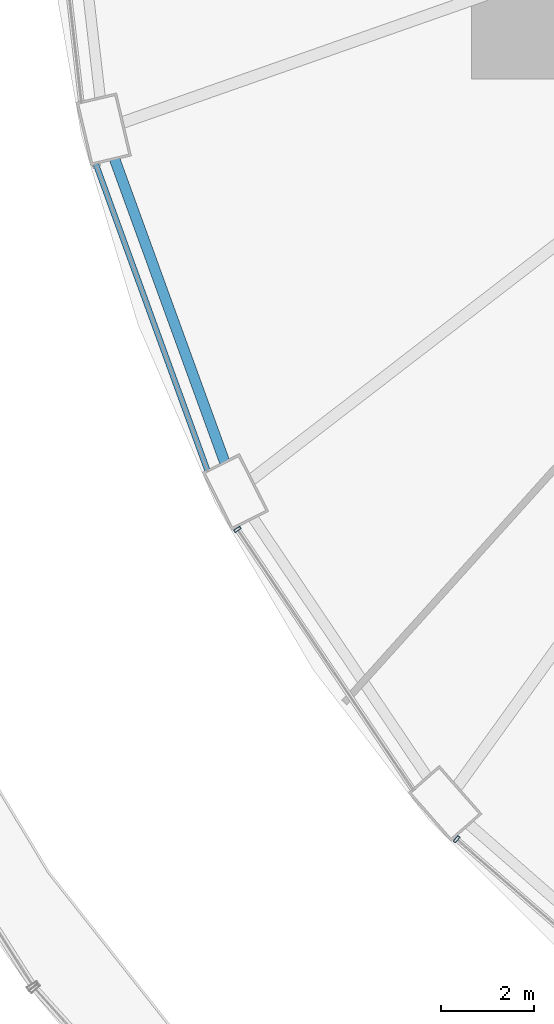
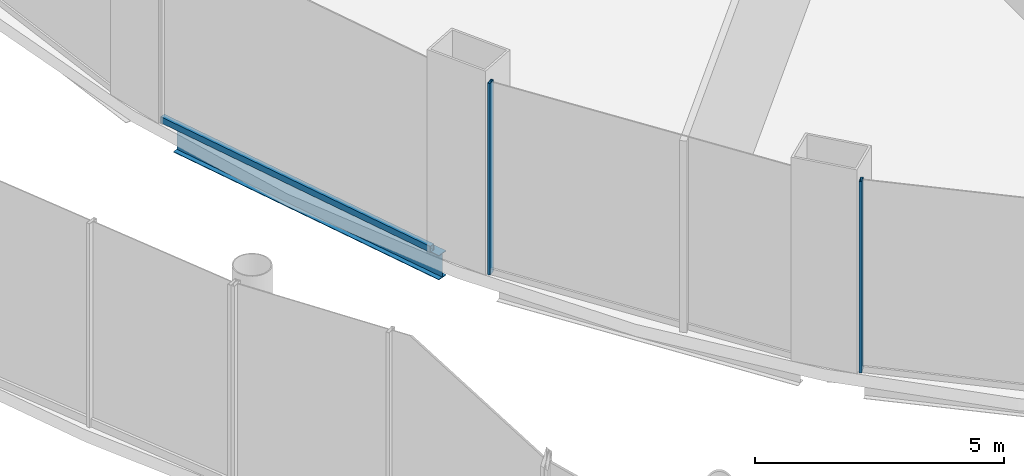
# One storey, part 6 of 47: 3 members, 1 beam, 3 elements without a shape of their own.
"""IFC4 building model written with IfcOpenShell, lengths in metres."""

import ifcopenshell
import ifcopenshell.guid

model = None  # the IFC model being written
_history = None  # IfcOwnerHistory: only IFC2X3 demands one
_inside = {}  # id of a spatial element -> (the spatial element, [elements in it])
_under = {}  # id of a project, library or spatial element -> (it, [spatial elements below it])
_declared = {}  # id of a project -> (the project, [libraries it declares])
_typed = {}  # id of a type object -> (the type object, [elements of that type])
_made_of = {}  # id of a material, layer set ... -> (it, [elements and type objects made of it])


def new_model(schema):
    """Start an empty IFC model of exactly this schema.

    Asked for "IFC4X3", IfcOpenShell would pick the latest addendum, in which some entities
    have other attributes; the version numbers below select the first issue.
    IFC2X3 requires an IfcOwnerHistory on every rooted entity: one is made here for all.
    """
    global model, _history
    if schema == "IFC4X3":
        model = ifcopenshell.file(schema_version=(4, 3, 0, 0))
    else:
        model = ifcopenshell.file(schema=schema)
    _inside.clear()
    _under.clear()
    _declared.clear()
    _typed.clear()
    _made_of.clear()
    _history = None
    if model.schema == "IFC2X3":
        org = make("IfcOrganization", Name="unknown")
        user = make(
            "IfcPersonAndOrganization",
            ThePerson=make("IfcPerson", FamilyName="unknown"),
            TheOrganization=org,
        )
        app = make(
            "IfcApplication",
            ApplicationDeveloper=org,
            Version="unknown",
            ApplicationFullName="unknown",
            ApplicationIdentifier="unknown",
        )
        _history = make(
            "IfcOwnerHistory",
            OwningUser=user,
            OwningApplication=app,
            ChangeAction="ADDED",
            CreationDate=0,
        )
    return model


def make(cls, **values):
    """One entity of the class cls with the attributes given. An attribute that is None is left unset."""
    return model.create_entity(
        cls, **{name: value for name, value in values.items() if value is not None}
    )


def rooted(cls, **values):
    """An entity with a GlobalId (a new one), such as an element, a storey or a relation."""
    return make(cls, GlobalId=ifcopenshell.guid.new(), OwnerHistory=_history, **values)


def si_unit(unit_type, name, prefix=None):
    """IfcSIUnit, for example si_unit("LENGTHUNIT", "METRE", prefix="MILLI")."""
    return make("IfcSIUnit", UnitType=unit_type, Prefix=prefix, Name=name)


def assignment(units):
    """IfcUnitAssignment: the units of a project."""
    return None if units is None else make("IfcUnitAssignment", Units=units)


def point(xyz):
    """IfcCartesianPoint."""
    return None if xyz is None else make("IfcCartesianPoint", Coordinates=xyz)


def direction(xyz):
    """IfcDirection."""
    return None if xyz is None else make("IfcDirection", DirectionRatios=xyz)


def frame(location, z_axis=None, x_axis=None):
    """IfcAxis2Placement3D, a coordinate frame: its origin and axes. An axis left out is left unset."""
    return make(
        "IfcAxis2Placement3D",
        Location=point(location),
        Axis=direction(z_axis),
        RefDirection=direction(x_axis),
    )


def frame_2d(location, x_axis=None):
    """IfcAxis2Placement2D, a coordinate frame in the plane: its origin and x axis."""
    return make(
        "IfcAxis2Placement2D", Location=point(location), RefDirection=direction(x_axis)
    )


def origin():
    """The frame at (0, 0, 0) with its axes left unset."""
    return frame((0.0, 0.0, 0.0))


def origin_2d():
    """The frame at (0, 0) in the plane with its x axis left unset."""
    return frame_2d((0.0, 0.0))


def place(relative_to, where):
    """IfcLocalPlacement: puts the frame where relative to a parent placement (None: the world)."""
    return make(
        "IfcLocalPlacement", PlacementRelTo=relative_to, RelativePlacement=where
    )


def context(
    kind, dimensions, precision=None, world=None, true_north=None, identifier=None
):
    """IfcGeometricRepresentationContext, for example the 3D "Model" context."""
    return make(
        "IfcGeometricRepresentationContext",
        ContextIdentifier=identifier,
        ContextType=kind,
        CoordinateSpaceDimension=dimensions,
        Precision=precision,
        WorldCoordinateSystem=world,
        TrueNorth=true_north,
    )


def subcontext(parent, identifier, kind, view, scale=None):
    """IfcGeometricRepresentationSubContext, for example "Body" below "Model"."""
    return make(
        "IfcGeometricRepresentationSubContext",
        ContextIdentifier=identifier,
        ContextType=kind,
        ParentContext=parent,
        TargetScale=scale,
        TargetView=view,
    )


def project(units=None, contexts=None):
    """IfcProject with its units and contexts."""
    return rooted(
        "IfcProject",
        Name="project",
        RepresentationContexts=contexts,
        UnitsInContext=assignment(units),
    )


def spatial(cls, under=None, at=None, **own):
    """A site, building, storey or space (cls), placed at a placement, below another one or the project."""
    s = rooted(cls, ObjectPlacement=at, **own)
    if under is not None:
        _under.setdefault(under.id(), (under, []))[1].append(s)
    return s


def profile(cls, at=None, kind="AREA", **sizes):
    """A parametric profile (cls). Its sizes go by their IFC names, for example OverallWidth=200.0."""
    return make(cls, ProfileType=kind, Position=at, **sizes)


def hollow_rectangle(**sizes):
    """IfcRectangleHollowProfileDef."""
    return profile("IfcRectangleHollowProfileDef", **sizes)


def i_section(**sizes):
    """IfcIShapeProfileDef."""
    return profile("IfcIShapeProfileDef", **sizes)


def extrude(swept, where, along, depth):
    """IfcExtrudedAreaSolid: the profile swept, set in the frame where, extruded along a direction by depth."""
    return make(
        "IfcExtrudedAreaSolid",
        SweptArea=swept,
        Position=where,
        ExtrudedDirection=direction(along),
        Depth=depth,
    )


def shape(context_of_items, identifier, shape_type, items):
    """IfcShapeRepresentation: the items that make up one representation, for example the "Body"."""
    return make(
        "IfcShapeRepresentation",
        ContextOfItems=context_of_items,
        RepresentationIdentifier=identifier,
        RepresentationType=shape_type,
        Items=items,
    )


def material(Name=None, Category=None):
    """IfcMaterial."""
    return make("IfcMaterial", Name=Name, Category=Category)


def layer(
    of_material, thickness, ventilated=None, Name=None, Category=None, Priority=None
):
    """IfcMaterialLayer: one layer of a wall or slab, of a material (None: an air gap)."""
    return make(
        "IfcMaterialLayer",
        Material=of_material,
        LayerThickness=thickness,
        IsVentilated=ventilated,
        Name=Name,
        Category=Category,
        Priority=Priority,
    )


def layer_set(layers, Name=None):
    """IfcMaterialLayerSet."""
    return make("IfcMaterialLayerSet", MaterialLayers=layers, LayerSetName=Name)


def material_profile(
    of_material, cross_section, Name=None, Category=None, Priority=None
):
    """IfcMaterialProfile: a cross section and its material."""
    return make(
        "IfcMaterialProfile",
        Name=Name,
        Material=of_material,
        Profile=cross_section,
        Priority=Priority,
        Category=Category,
    )


def profile_set(profiles, Name=None, composite=None):
    """IfcMaterialProfileSet."""
    return make(
        "IfcMaterialProfileSet",
        Name=Name,
        MaterialProfiles=profiles,
        CompositeProfile=composite,
    )


def made_of(thing, what):
    """Note that an element or type object is made of a material, layer set ...; save() writes the relation."""
    if what is not None:
        _made_of.setdefault(what.id(), (what, []))[1].append(thing)
    return thing


def type_object(cls, material=None, **own):
    """A type object (cls), such as IfcWallType, which elements share."""
    return made_of(rooted(cls, **own), material)


def element(
    cls,
    number,
    at=None,
    inside=None,
    cuts=None,
    type_object=None,
    material=None,
    context=None,
    identifier="Body",
    shape_type=None,
    held_by="IfcProductDefinitionShape",
    body=None,
    shapes=None,
    **own,
):
    """One element of the class cls, such as IfcWall. Its Tag is "e" and its number.

    at: its placement. inside: the storey or other place that contains it. cuts: it is an
    opening in that element (IfcRelVoidsElement). A single representation is given by context,
    identifier, shape_type and body (its items); several are given by shapes. held_by: the class
    of the entity that holds the representations. save() writes the other relations.
    """
    e = rooted(cls, Tag="e%d" % number, ObjectPlacement=at, **own)
    if body is not None:
        shapes = [shape(context, identifier, shape_type, body)]
    if shapes is not None:
        e.Representation = make(held_by, Representations=shapes)
    if inside is not None:
        _inside.setdefault(inside.id(), (inside, []))[1].append(e)
    if cuts is not None:
        rooted(
            "IfcRelVoidsElement", RelatingBuildingElement=cuts, RelatedOpeningElement=e
        )
    if type_object is not None:
        _typed.setdefault(type_object.id(), (type_object, []))[1].append(e)
    return made_of(e, material)


def aggregate(whole, parts):
    """IfcRelAggregates: a whole, such as a stair, and the parts it consists of."""
    return rooted("IfcRelAggregates", RelatingObject=whole, RelatedObjects=parts)


def save(model, path):
    """Write the relations noted so far, then the file.

    IfcRelAggregates (storeys below a building ...), IfcRelContainedInSpatialStructure (elements
    in a storey), IfcRelDefinesByType, IfcRelAssociatesMaterial and IfcRelDeclares: one each for
    every whole, place, type object, material and project.
    """
    for whole, parts in _under.values():
        aggregate(whole, parts)
    for where, things in _inside.values():
        rooted(
            "IfcRelContainedInSpatialStructure",
            RelatedElements=things,
            RelatingStructure=where,
        )
    for kind, things in _typed.values():
        rooted("IfcRelDefinesByType", RelatedObjects=things, RelatingType=kind)
    for what, things in _made_of.values():
        rooted("IfcRelAssociatesMaterial", RelatedObjects=things, RelatingMaterial=what)
    for by, libraries in _declared.values():
        rooted("IfcRelDeclares", RelatingContext=by, RelatedDefinitions=libraries)
    model.write(path)


model = new_model("IFC4")

# Units and contexts
model_context = context("Model", 3, precision=1e-05, world=origin(), true_north=direction((0.0, 1.0)))
body_context = subcontext(model_context, "Body", "Model", "MODEL_VIEW")
ifc_project = project(units=[si_unit("LENGTHUNIT", "METRE"), si_unit("AREAUNIT", "SQUARE_METRE"), si_unit("VOLUMEUNIT", "CUBIC_METRE"), si_unit("PLANEANGLEUNIT", "RADIAN"), si_unit("MASSUNIT", "GRAM", prefix="KILO")], contexts=[model_context])

# Site, building, storey
site_placement = place(None, origin())
site = spatial("IfcSite", under=ifc_project, at=site_placement, CompositionType="ELEMENT")
building_placement = place(site_placement, origin())
building = spatial("IfcBuilding", under=site, at=building_placement, Name="Nagisa Residences", CompositionType="ELEMENT")
storey_placement = place(building_placement, frame((0.0, 0.0, 7.0)))
storey = spatial("IfcBuildingStorey", under=building, at=storey_placement, Name="L01", CompositionType="ELEMENT", Elevation=7.0)

# Curtain wall, member
ifc_material_1 = material(Name="Stainless steel curtain wall system", Category="steel")
ifc_layer = layer(ifc_material_1, 0.159912109375)
ifc_layer_set = layer_set([ifc_layer], Name="CW6 CURTAIN WALL")
curtain_wall_type = type_object("IfcCurtainWallType", Name="CW6 CURTAIN WALL", PredefinedType="NOTDEFINED", material=ifc_layer_set)
curtain_wall_1_placement = place(storey_placement, origin())
curtain_wall_1 = element("IfcCurtainWall", 1, at=curtain_wall_1_placement, inside=storey, type_object=curtain_wall_type, Name="cw:CW6:L01:28", PredefinedType="NOTDEFINED")
ifc_material_2 = material(Name="Stainless steel", Category="steel")
ifc_material_profile_1 = material_profile(ifc_material_2, hollow_rectangle(XDim=0.159912109375, YDim=0.06005859375, WallThickness=0.006103515625, at=origin_2d()), Name="CW6 MULLION 160x60")
ifc_profile_set_1 = profile_set([ifc_material_profile_1], Name="Stainless steel")
member_type_1 = type_object("IfcMemberType", Name="CW6 MULLION 160x60", PredefinedType="MULLION", material=ifc_profile_set_1)
member_1_placement = place(storey_placement, frame((-21.040283203125, -17.060546875, 0.0), z_axis=(0.0, 0.0, 1.0), x_axis=(0.829110926393, 0.559084136544, 0.0)))
member_1 = element("IfcMember", 2, at=member_1_placement, type_object=member_type_1, Name="CW6 mullion", PredefinedType="MULLION", context=body_context, shape_type="SweptSolid", body=[
    extrude(hollow_rectangle(XDim=0.159912109375, YDim=0.06005859375, WallThickness=0.006103515625, at=origin_2d()), origin(), (0.0, 0.0, 1.0), 4.699951171875),
])
aggregate(curtain_wall_1, [member_1])

curtain_wall_2_placement = place(storey_placement, origin())
curtain_wall_2 = element("IfcCurtainWall", 3, at=curtain_wall_2_placement, inside=storey, type_object=curtain_wall_type, Name="cw:CW6:L01:30", PredefinedType="NOTDEFINED")
member_2_placement = place(storey_placement, frame((-16.3037109375, -23.75439453125, 0.0), z_axis=(0.0, 0.0, 1.0), x_axis=(0.657721475708, 0.753261216572, 0.0)))
member_2 = element("IfcMember", 4, at=member_2_placement, type_object=member_type_1, Name="CW6 mullion", PredefinedType="MULLION", context=body_context, shape_type="SweptSolid", body=[
    extrude(hollow_rectangle(XDim=0.159912109375, YDim=0.06005859375, WallThickness=0.006103515625, at=origin_2d()), origin(), (0.0, 0.0, 1.0), 4.699951171875),
])
aggregate(curtain_wall_2, [member_2])

curtain_wall_3_placement = place(storey_placement, origin())
curtain_wall_3 = element("IfcCurtainWall", 5, at=curtain_wall_3_placement, inside=storey, type_object=curtain_wall_type, Name="cw:CW6:L01:26", PredefinedType="NOTDEFINED")
ifc_material_3 = material(Name="Stainless steel", Category="steel")
ifc_material_profile_2 = material_profile(ifc_material_3, hollow_rectangle(XDim=0.1201171875, YDim=0.14990234375, WallThickness=0.008056640625, at=origin_2d()), Name="CW6 TRANSOM 120x150")
ifc_profile_set_2 = profile_set([ifc_material_profile_2], Name="Stainless steel")
member_type_2 = type_object("IfcMemberType", Name="CW6 TRANSOM 120x150", PredefinedType="USERDEFINED", material=ifc_profile_set_2)
member_3_placement = place(storey_placement, frame((-24.09716796875, -9.17138671875, 0.074951171875), z_axis=(0.342039719013, -0.939685495587, 0.0), x_axis=(0.939685495587, 0.342039719013, 0.0)))
member_3 = element("IfcMember", 6, at=member_3_placement, type_object=member_type_2, Name="CW6 transom", ObjectType="TRANSOM", PredefinedType="USERDEFINED", context=body_context, shape_type="SweptSolid", body=[
    extrude(hollow_rectangle(XDim=0.1201171875, YDim=0.14990234375, WallThickness=0.008056640625, at=origin_2d()), origin(), (0.0, 0.0, 1.0), 7.070068359375),
])
aggregate(curtain_wall_3, [member_3])

# Beam
ifc_material_4 = material(Name="Steel ASTM A572 Gr 50", Category="steel")
ifc_material_profile_3 = material_profile(ifc_material_4, i_section(OverallWidth=0.22802734375, OverallDepth=0.60302734375, WebThickness=0.010498046875, FlangeThickness=0.014892578125, at=origin_2d()), Name="W610x101")
ifc_profile_set_3 = profile_set([ifc_material_profile_3], Name="Steel ASTM A572 Gr 50")
beam_type = type_object("IfcBeamType", Name="Perimeter ring beam W610x101", PredefinedType="BEAM", material=ifc_profile_set_3)
beam_placement = place(storey_placement, frame((-23.695068359375, -9.055419921875, -0.6015625), z_axis=(0.341411143183, -0.939914055279, 0.0), x_axis=(0.939914055279, 0.341411143183, 0.0)))
element("IfcBeam", 7, at=beam_placement, inside=storey, type_object=beam_type, Name="beam:L01:pb14", PredefinedType="BEAM", context=body_context, shape_type="SweptSolid", body=[
    extrude(i_section(OverallWidth=0.22802734375, OverallDepth=0.60302734375, WebThickness=0.010498046875, FlangeThickness=0.014892578125, at=origin_2d()), origin(), (0.0, 0.0, 1.0), 6.96923828125),
])

save(model, "model.ifc")
